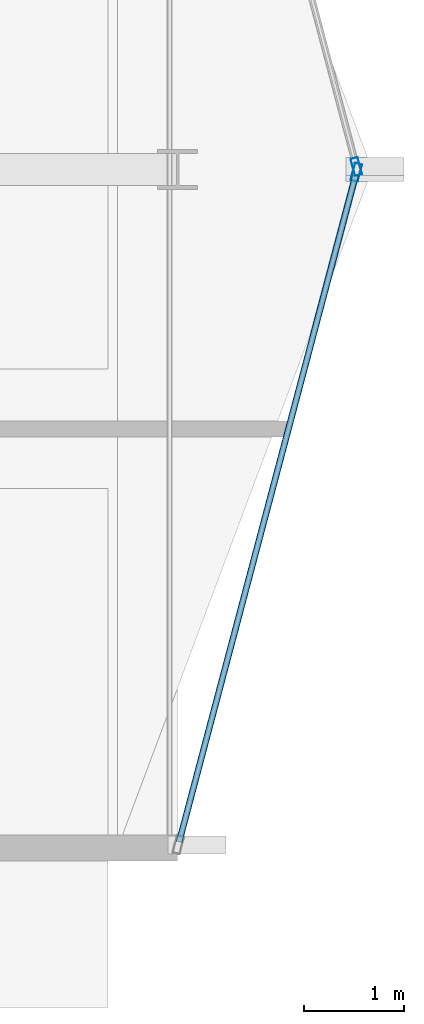
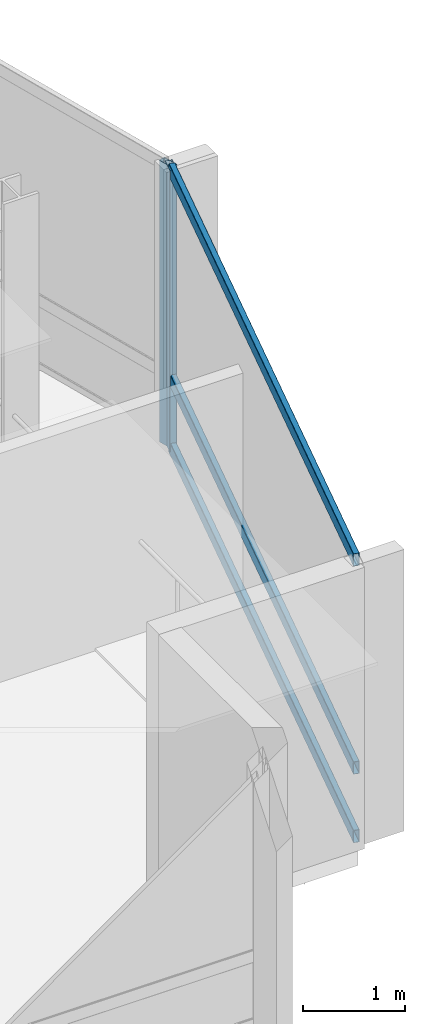
# One storey, part 11 of 27: 5 members, 2 elements without a shape of their own.
"""IFC4 building model written with IfcOpenShell, lengths in metres."""

from ifc_helpers import new_model, si_unit, direction, frame, origin, origin_2d, place, context, subcontext, project, spatial, hollow_rectangle, extrude, material, layer, layer_set, material_profile, profile_set, type_object, element, aggregate, save


model = new_model("IFC4")

# Units and contexts
model_context = context("Model", 3, precision=1e-05, world=origin(), true_north=direction((0.0, 1.0)))
body_context = subcontext(model_context, "Body", "Model", "MODEL_VIEW")
ifc_project = project(units=[si_unit("LENGTHUNIT", "METRE"), si_unit("AREAUNIT", "SQUARE_METRE"), si_unit("VOLUMEUNIT", "CUBIC_METRE"), si_unit("PLANEANGLEUNIT", "RADIAN"), si_unit("MASSUNIT", "GRAM", prefix="KILO")], contexts=[model_context])

# Site, building, storey
site_placement = place(None, origin())
site = spatial("IfcSite", under=ifc_project, at=site_placement, CompositionType="ELEMENT")
building_placement = place(site_placement, origin())
building = spatial("IfcBuilding", under=site, at=building_placement, Name="Solvaryn Broadcast Tower", CompositionType="ELEMENT")
storey_placement = place(building_placement, frame((0.0, 0.0, 232.10009765625)))
storey = spatial("IfcBuildingStorey", under=building, at=storey_placement, Name="L58", CompositionType="ELEMENT", Elevation=232.10009765625)

# Curtain wall, member
ifc_material_1 = material(Name="Aluminium and Terracotta Unitised Curtain Wall", Category="masonry")
ifc_layer = layer(ifc_material_1, 0.199951171875)
ifc_layer_set = layer_set([ifc_layer], Name="CW-SYS2-LOWMID")
curtain_wall_type = type_object("IfcCurtainWallType", Name="CW-SYS2-LOWMID", PredefinedType="NOTDEFINED", material=ifc_layer_set)
curtain_wall_1_placement = place(storey_placement, origin())
curtain_wall_1 = element("IfcCurtainWall", 1, at=curtain_wall_1_placement, inside=storey, type_object=curtain_wall_type, Name="L58 Curtain Wall ET1", PredefinedType="NOTDEFINED")
ifc_material_2 = material(Name="Anodised Aluminium 6063-T6", Category="aluminium")
ifc_material_profile_1 = material_profile(ifc_material_2, hollow_rectangle(XDim=0.074951171875, YDim=0.179931640625, WallThickness=0.00390625, InnerFilletRadius=0.00390625, OuterFilletRadius=0.008056640625, at=origin_2d()))
ifc_profile_set_1 = profile_set([ifc_material_profile_1], Name="Anodised Aluminium 6063-T6")
member_type_1 = type_object("IfcMemberType", Name="CW-MUL-180", PredefinedType="MULLION", material=ifc_profile_set_1)
member_1_placement = place(storey_placement, frame((55.792236328125, 18.029052734375, 0.0), z_axis=(0.0, 0.0, 1.0), x_axis=(0.966705227863, 0.25589256031, 0.0)))
member_1 = element("IfcMember", 2, at=member_1_placement, type_object=member_type_1, Name="CWS2 mullion 2", PredefinedType="MULLION", context=body_context, shape_type="SweptSolid", body=[
    extrude(hollow_rectangle(XDim=0.074951171875, YDim=0.179931640625, WallThickness=0.00390625, InnerFilletRadius=0.00390625, OuterFilletRadius=0.008056640625, at=origin_2d()), origin(), (0.0, 0.0, 1.0), 3.369873046875),
])
aggregate(curtain_wall_1, [member_1])

# Curtain wall, members
curtain_wall_2_placement = place(storey_placement, origin())
curtain_wall_2 = element("IfcCurtainWall", 3, at=curtain_wall_2_placement, inside=storey, type_object=curtain_wall_type, Name="L58 Curtain Wall ET2", PredefinedType="NOTDEFINED")
member_2_placement = place(storey_placement, frame((55.792236328125, 17.970947265625, 0.0), z_axis=(0.0, 0.0, 1.0), x_axis=(0.966705227863, -0.25589256031, 0.0)))
member_2 = element("IfcMember", 4, at=member_2_placement, type_object=member_type_1, Name="CWS2 mullion 1", PredefinedType="MULLION", context=body_context, shape_type="SweptSolid", body=[
    extrude(hollow_rectangle(XDim=0.074951171875, YDim=0.179931640625, WallThickness=0.00390625, InnerFilletRadius=0.00390625, OuterFilletRadius=0.008056640625, at=origin_2d()), origin(), (0.0, 0.0, 1.0), 3.369873046875),
])
ifc_material_3 = material(Name="Anodised Aluminium 6063-T6", Category="aluminium")
ifc_material_profile_2 = material_profile(ifc_material_3, hollow_rectangle(XDim=0.06494140625, YDim=0.14990234375, WallThickness=0.00390625, InnerFilletRadius=0.00390625, OuterFilletRadius=0.008056640625, at=origin_2d()))
ifc_profile_set_2 = profile_set([ifc_material_profile_2], Name="Anodised Aluminium 6063-T6")
member_type_2 = type_object("IfcMemberType", Name="CW-TRN-150", PredefinedType="USERDEFINED", material=ifc_profile_set_2)
member_3_placement = place(storey_placement, frame((55.78466796875, 17.94189453125, 0.02978515625), z_axis=(-0.255897413051, -0.966703943301, 0.0), x_axis=(0.966703943301, -0.255897413051, 0.0)))
member_3 = element("IfcMember", 5, at=member_3_placement, type_object=member_type_2, Name="CWS2 transom 1.1", ObjectType="TRANSOM", PredefinedType="USERDEFINED", context=body_context, shape_type="SweptSolid", body=[
    extrude(hollow_rectangle(XDim=0.06494140625, YDim=0.14990234375, WallThickness=0.00390625, InnerFilletRadius=0.00390625, OuterFilletRadius=0.008056640625, at=origin_2d()), origin(), (0.0, 0.0, 1.0), 6.9140625),
])
member_4_placement = place(storey_placement, frame((55.78466796875, 17.94189453125, 0.849853515625), z_axis=(-0.255897413051, -0.966703943301, 0.0), x_axis=(0.966703943301, -0.255897413051, 0.0)))
member_4 = element("IfcMember", 6, at=member_4_placement, type_object=member_type_2, Name="CWS2 transom 1.2", ObjectType="TRANSOM", PredefinedType="USERDEFINED", context=body_context, shape_type="SweptSolid", body=[
    extrude(hollow_rectangle(XDim=0.06494140625, YDim=0.14990234375, WallThickness=0.00390625, InnerFilletRadius=0.00390625, OuterFilletRadius=0.008056640625, at=origin_2d()), origin(), (0.0, 0.0, 1.0), 6.9140625),
])
member_5_placement = place(storey_placement, frame((55.78466796875, 17.94189453125, 3.33984375), z_axis=(-0.255897413051, -0.966703943301, 0.0), x_axis=(0.966703943301, -0.255897413051, 0.0)))
member_5 = element("IfcMember", 7, at=member_5_placement, type_object=member_type_2, Name="CWS2 transom 1.3", ObjectType="TRANSOM", PredefinedType="USERDEFINED", context=body_context, shape_type="SweptSolid", body=[
    extrude(hollow_rectangle(XDim=0.06494140625, YDim=0.14990234375, WallThickness=0.00390625, InnerFilletRadius=0.00390625, OuterFilletRadius=0.008056640625, at=origin_2d()), origin(), (0.0, 0.0, 1.0), 6.9140625),
])
aggregate(curtain_wall_2, [member_2, member_3, member_4, member_5])

save(model, "model.ifc")
